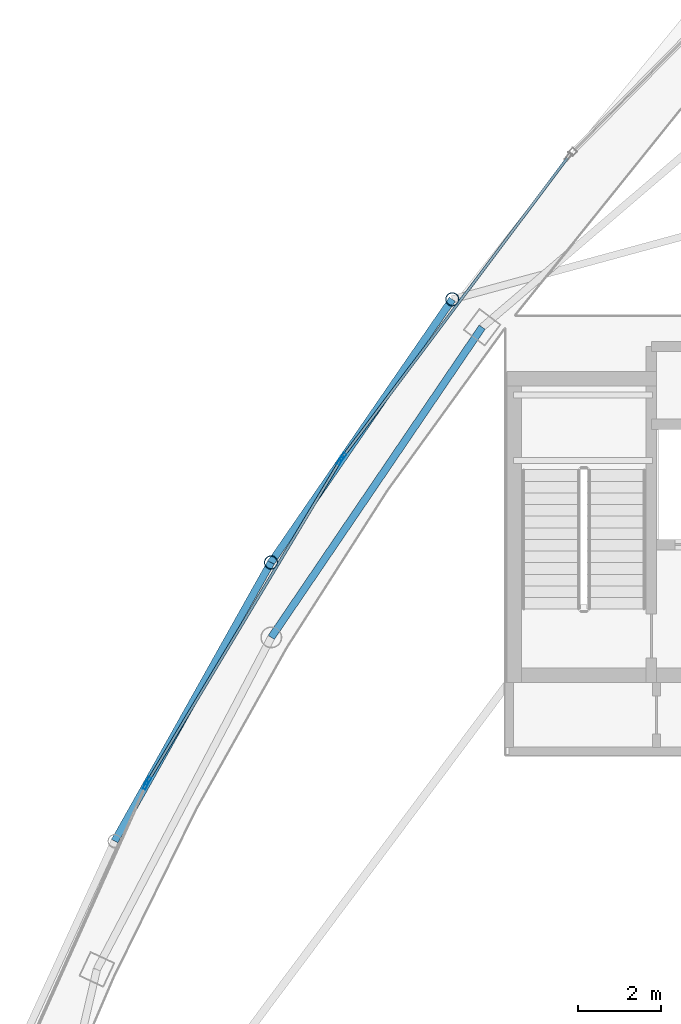
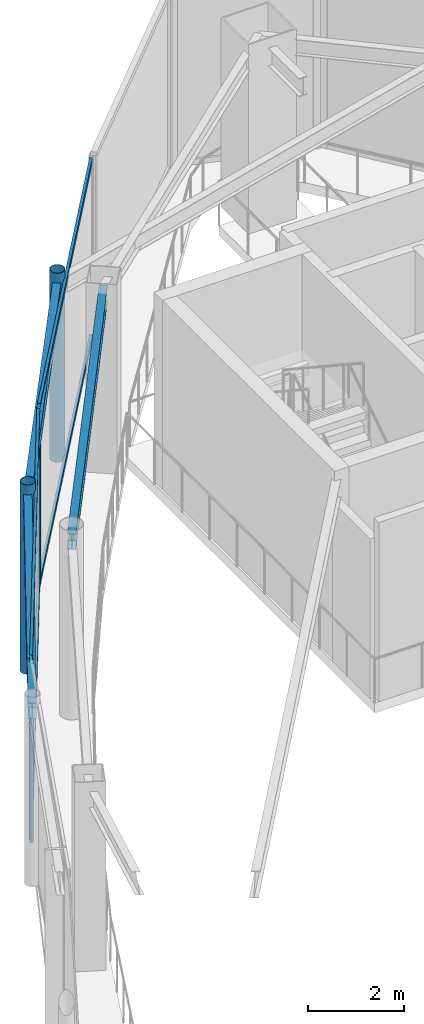
# One storey, part 8 of 19: 10 members, 3 beams, 3 elements without a shape of their own.
"""IFC4 building model written with IfcOpenShell, lengths in metres."""

from ifc_helpers import new_model, si_unit, direction, frame, origin, origin_2d, place, context, subcontext, project, spatial, hollow_rectangle, hollow_circle, i_section, extrude, material, layer, layer_set, material_profile, profile_set, type_object, element, aggregate, save


model = new_model("IFC4")

# Units and contexts
model_context = context("Model", 3, precision=1e-05, world=origin(), true_north=direction((0.0, 1.0)))
body_context = subcontext(model_context, "Body", "Model", "MODEL_VIEW")
ifc_project = project(units=[si_unit("LENGTHUNIT", "METRE"), si_unit("AREAUNIT", "SQUARE_METRE"), si_unit("VOLUMEUNIT", "CUBIC_METRE"), si_unit("PLANEANGLEUNIT", "RADIAN"), si_unit("MASSUNIT", "GRAM", prefix="KILO")], contexts=[model_context])

# Site, building, storey
site_placement = place(None, origin())
site = spatial("IfcSite", under=ifc_project, at=site_placement, CompositionType="ELEMENT")
building_placement = place(site_placement, origin())
building = spatial("IfcBuilding", under=site, at=building_placement, Name="Orvanel Arch Residences", CompositionType="ELEMENT")
storey_placement = place(building_placement, frame((0.0, 0.0, 286.10009765625)))
storey = spatial("IfcBuildingStorey", under=building, at=storey_placement, Name="L81", CompositionType="ELEMENT", Elevation=286.10009765625)

# Curtain wall, member
ifc_material_1 = material(Name="Bronze-anodised aluminium AA6063-T6", Category="aluminium")
ifc_layer = layer(ifc_material_1, 0.2099609375)
ifc_layer_set = layer_set([ifc_layer], Name="Bronze-anodised aluminium AA6063-T6")
curtain_wall_type = type_object("IfcCurtainWallType", Name="CW7-TOP-SYS", PredefinedType="NOTDEFINED", material=ifc_layer_set)
curtain_wall_1_placement = place(storey_placement, origin())
curtain_wall_1 = element("IfcCurtainWall", 1, at=curtain_wall_1_placement, inside=storey, type_object=curtain_wall_type, Name="L81 CW7-TOP-SYS Unitised Curtain Wall", PredefinedType="NOTDEFINED")
ifc_material_profile_1 = material_profile(ifc_material_1, hollow_rectangle(XDim=0.074951171875, YDim=0.199951171875, WallThickness=0.0048828125, at=origin_2d()), Name="ALU200x75x5")
ifc_profile_set_1 = profile_set([ifc_material_profile_1], Name="Bronze-anodised aluminium AA6063-T6")
member_type_1 = type_object("IfcMemberType", Name="MUL-200x75", PredefinedType="MULLION", material=ifc_profile_set_1)
member_1_placement = place(storey_placement, frame((22.29052734375, 31.988037109375, 0.0), z_axis=(0.0, 0.0, 1.0), x_axis=(0.799341985759, -0.600876351509, 0.0)))
member_1 = element("IfcMember", 2, at=member_1_placement, type_object=member_type_1, Name="CW-S7 mullion 2", PredefinedType="MULLION", context=body_context, shape_type="SweptSolid", body=[
    extrude(hollow_rectangle(XDim=0.074951171875, YDim=0.199951171875, WallThickness=0.0048828125, at=origin_2d()), origin(), (0.0, 0.0, 1.0), 4.5498046875),
])

# Curtain wall, members
curtain_wall_2_placement = place(storey_placement, origin())
curtain_wall_2 = element("IfcCurtainWall", 3, at=curtain_wall_2_placement, inside=storey, type_object=curtain_wall_type, Name="L81 CW7-TOP-SYS Unitised Curtain Wall", PredefinedType="NOTDEFINED")
member_2_placement = place(storey_placement, frame((22.226806640625, 31.892822265625, 0.0), z_axis=(0.0, 0.0, 1.0), x_axis=(0.857522096821, -0.514447133788, 0.0)))
member_2 = element("IfcMember", 4, at=member_2_placement, type_object=member_type_1, Name="CW-S7 mullion 1", PredefinedType="MULLION", context=body_context, shape_type="SweptSolid", body=[
    extrude(hollow_rectangle(XDim=0.074951171875, YDim=0.199951171875, WallThickness=0.0048828125, at=origin_2d()), origin(), (0.0, 0.0, 1.0), 4.5498046875),
])
member_3_placement = place(storey_placement, frame((17.597412109375, 24.17626953125, 0.0), z_axis=(0.0, 0.0, 1.0), x_axis=(0.857522096821, -0.514447133788, 0.0)))
member_3 = element("IfcMember", 5, at=member_3_placement, type_object=member_type_1, Name="CW-S7 mullion 2", PredefinedType="MULLION", context=body_context, shape_type="SweptSolid", body=[
    extrude(hollow_rectangle(XDim=0.074951171875, YDim=0.199951171875, WallThickness=0.0048828125, at=origin_2d()), origin(), (0.0, 0.0, 1.0), 4.5498046875),
])

# Curtain wall, member
curtain_wall_3_placement = place(storey_placement, origin())
curtain_wall_3 = element("IfcCurtainWall", 6, at=curtain_wall_3_placement, inside=storey, type_object=curtain_wall_type, Name="L81 CW7-TOP-SYS Unitised Curtain Wall", PredefinedType="NOTDEFINED")
member_4_placement = place(storey_placement, frame((17.544677734375, 24.07470703125, 0.0), z_axis=(0.0, 0.0, 1.0), x_axis=(0.912376147447, -0.40935286193, 0.0)))
member_4 = element("IfcMember", 7, at=member_4_placement, type_object=member_type_1, Name="CW-S7 mullion 1", PredefinedType="MULLION", context=body_context, shape_type="SweptSolid", body=[
    extrude(hollow_rectangle(XDim=0.074951171875, YDim=0.199951171875, WallThickness=0.0048828125, at=origin_2d()), origin(), (0.0, 0.0, 1.0), 4.5498046875),
])
aggregate(curtain_wall_3, [member_4])

# Beams
ifc_material_2 = material(Name="Structural steel AS/NZS 3679.1 Grade 300 (300 MPa)", Category="steel")
ifc_material_profile_2 = material_profile(ifc_material_2, i_section(OverallWidth=0.177978515625, OverallDepth=0.406005859375, WebThickness=0.0078125, FlangeThickness=0.0126953125, at=origin_2d()), Name="410UB59.7")
ifc_profile_set_2 = profile_set([ifc_material_profile_2], Name="Structural steel AS/NZS 3679.1 Grade 300 (300 MPa)")
beam_type_1 = type_object("IfcBeamType", Name="OB-410UB", PredefinedType="SPANDREL", material=ifc_profile_set_2)
beam_1_placement = place(storey_placement, frame((25.64794921875, 35.113037109375, 4.346923828125), z_axis=(-0.562154793153, -0.827032035978, 0.0), x_axis=(0.827032035978, -0.562154793153, 0.0)))
element("IfcBeam", 8, at=beam_1_placement, inside=storey, type_object=beam_type_1, Name="L81 Perimeter Spandrel Beam 11", PredefinedType="SPANDREL", context=body_context, shape_type="SweptSolid", body=[
    extrude(i_section(OverallWidth=0.177978515625, OverallDepth=0.406005859375, WebThickness=0.0078125, FlangeThickness=0.0126953125, at=origin_2d()), origin(), (0.0, 0.0, 1.0), 9.03466796875),
])
ifc_material_profile_3 = material_profile(ifc_material_2, i_section(OverallWidth=0.177978515625, OverallDepth=0.406005859375, WebThickness=0.0078125, FlangeThickness=0.0126953125, at=origin_2d()), Name="410UB59.7")
ifc_profile_set_3 = profile_set([ifc_material_profile_3], Name="Structural steel AS/NZS 3679.1 Grade 300 (300 MPa)")
beam_type_2 = type_object("IfcBeamType", Name="OB-410UB-EXT", PredefinedType="SPANDREL", material=ifc_profile_set_3)
beam_2_placement = place(storey_placement, frame((24.929931640625, 35.785888671875, 4.346923828125), z_axis=(-0.567346812798, -0.823478957842, 0.0), x_axis=(0.823478957842, -0.567346812798, 0.0)))
element("IfcBeam", 9, at=beam_2_placement, inside=storey, type_object=beam_type_2, Name="L81 Outer Perimeter Floor Ring Beam 01", PredefinedType="SPANDREL", context=body_context, shape_type="SweptSolid", body=[
    extrude(i_section(OverallWidth=0.177978515625, OverallDepth=0.406005859375, WebThickness=0.0078125, FlangeThickness=0.0126953125, at=origin_2d()), origin(), (0.0, 0.0, 1.0), 7.698974609375),
])
beam_3_placement = place(storey_placement, frame((20.56201171875, 29.446044921875, 4.346923828125), z_axis=(-0.489422203707, -0.872046963482, 0.0), x_axis=(0.872046963482, -0.489422203707, 0.0)))
element("IfcBeam", 10, at=beam_3_placement, inside=storey, type_object=beam_type_2, Name="L81 Outer Perimeter Floor Ring Beam 02", PredefinedType="SPANDREL", context=body_context, shape_type="SweptSolid", body=[
    extrude(i_section(OverallWidth=0.177978515625, OverallDepth=0.406005859375, WebThickness=0.0078125, FlangeThickness=0.0126953125, at=origin_2d()), origin(), (0.0, 0.0, 1.0), 7.697021484375),
])

# Members
ifc_material_3 = material(Name="Structural steel AS/NZS 1163 C350L0 (Grade 350)", Category="steel")
ifc_material_profile_4 = material_profile(ifc_material_3, hollow_circle(Radius=0.162109375, WallThickness=0.0126953125, at=origin_2d()), Name="CHS324x12.7")
ifc_profile_set_4 = profile_set([ifc_material_profile_4], Name="Structural steel AS/NZS 1163 C350L0 (Grade 350)")
member_type_2 = type_object("IfcMemberType", Name="ST-324CHS-EXT", PredefinedType="STRUT", material=ifc_profile_set_4)
for number, where, z_axis, x_axis, name in (
    (11, (24.929931640625, 35.785888671875, 0.0), (0.0, 0.0, 1.0), (1.0, 0.0, 0.0), "L81 Outer Perimeter Frame Post 01"),
    (12, (20.56201171875, 29.446044921875, 0.0), (0.0, 0.0, 1.0), (1.0, 0.0, 0.0), "L81 Outer Perimeter Frame Post 02"),
):
    element("IfcMember", number, at=place(storey_placement, frame(where, z_axis=z_axis, x_axis=x_axis)), inside=storey, type_object=member_type_2, Name=name, PredefinedType="STRUT", context=body_context, shape_type="SweptSolid", body=[
        extrude(hollow_circle(Radius=0.162109375, WallThickness=0.0126953125, at=origin_2d()), origin(), (0.0, 0.0, 1.0), 4.7998046875),
    ])

# Member
ifc_material_profile_5 = material_profile(ifc_material_1, hollow_rectangle(XDim=0.06494140625, YDim=0.14990234375, WallThickness=0.00390625, at=origin_2d()), Name="ALU150x65x4")
ifc_profile_set_5 = profile_set([ifc_material_profile_5], Name="Bronze-anodised aluminium AA6063-T6")
member_type_3 = type_object("IfcMemberType", Name="TRN-150x65", PredefinedType="USERDEFINED", material=ifc_profile_set_5)
member_5_placement = place(storey_placement, frame((27.7060546875, 39.192138671875, 0.032470703125), z_axis=(-0.600891851957, -0.799330333624, 0.0), x_axis=(0.799330333624, -0.600891851957, 0.0)))
member_5 = element("IfcMember", 13, at=member_5_placement, type_object=member_type_3, Name="CW-S7 transom 1.1", ObjectType="TRANSOM", PredefinedType="USERDEFINED", context=body_context, shape_type="SweptSolid", body=[
    extrude(hollow_rectangle(XDim=0.06494140625, YDim=0.14990234375, WallThickness=0.00390625, at=origin_2d()), origin(), (0.0, 0.0, 1.0), 8.97509765625),
])

member_6_placement = place(storey_placement, frame((27.7060546875, 39.192138671875, 4.517333984375), z_axis=(-0.600891851957, -0.799330333624, 0.0), x_axis=(0.799330333624, -0.600891851957, 0.0)))
member_6 = element("IfcMember", 14, at=member_6_placement, type_object=member_type_3, Name="CW-S7 transom 1.2", ObjectType="TRANSOM", PredefinedType="USERDEFINED", context=body_context, shape_type="SweptSolid", body=[
    extrude(hollow_rectangle(XDim=0.06494140625, YDim=0.14990234375, WallThickness=0.00390625, at=origin_2d()), origin(), (0.0, 0.0, 1.0), 8.97509765625),
])

aggregate(curtain_wall_1, [member_1, member_5, member_6])

member_7_placement = place(storey_placement, frame((22.20751953125, 31.860595703125, 0.032470703125), z_axis=(-0.514447475071, -0.857521892078, 0.0), x_axis=(0.857521892078, -0.514447475071, 0.0)))
member_7 = element("IfcMember", 15, at=member_7_placement, type_object=member_type_3, Name="CW-S7 transom 1.1", ObjectType="TRANSOM", PredefinedType="USERDEFINED", context=body_context, shape_type="SweptSolid", body=[
    extrude(hollow_rectangle(XDim=0.06494140625, YDim=0.14990234375, WallThickness=0.00390625, at=origin_2d()), origin(), (0.0, 0.0, 1.0), 8.923828125),
])

member_8_placement = place(storey_placement, frame((22.20751953125, 31.860595703125, 4.517333984375), z_axis=(-0.514447475071, -0.857521892078, 0.0), x_axis=(0.857521892078, -0.514447475071, 0.0)))
member_8 = element("IfcMember", 16, at=member_8_placement, type_object=member_type_3, Name="CW-S7 transom 1.2", ObjectType="TRANSOM", PredefinedType="USERDEFINED", context=body_context, shape_type="SweptSolid", body=[
    extrude(hollow_rectangle(XDim=0.06494140625, YDim=0.14990234375, WallThickness=0.00390625, at=origin_2d()), origin(), (0.0, 0.0, 1.0), 8.923828125),
])

aggregate(curtain_wall_2, [member_2, member_3, member_7, member_8])

save(model, "model.ifc")
